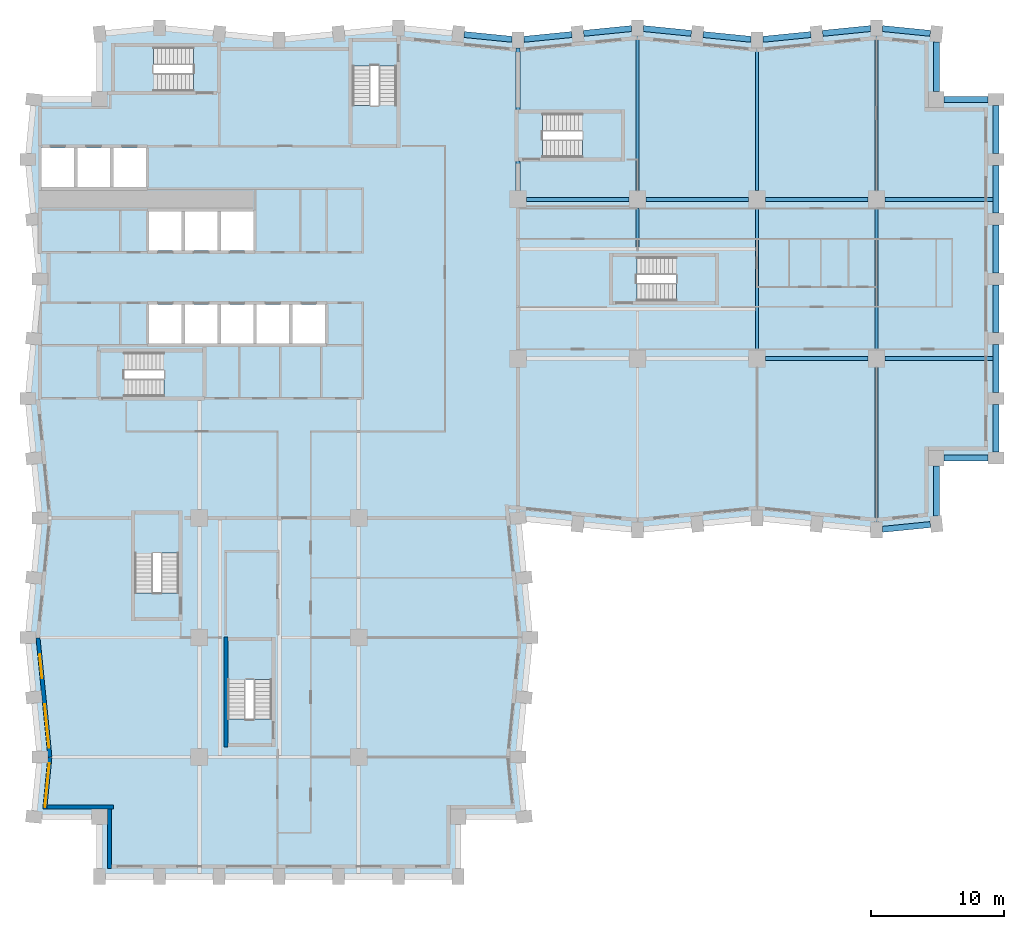
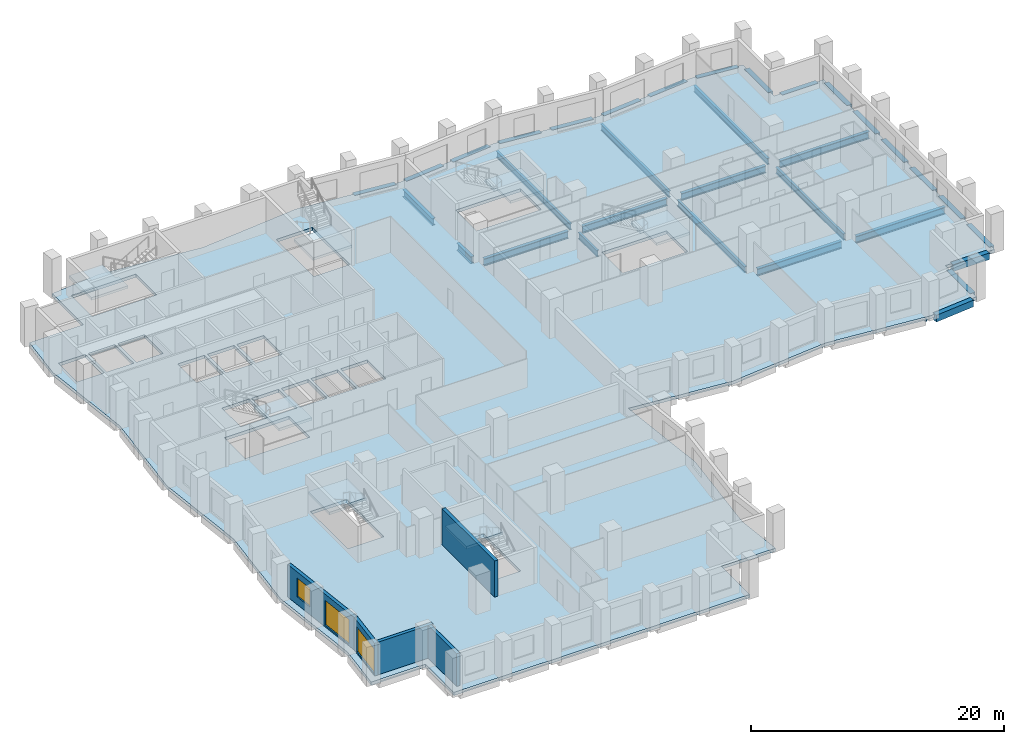
# One storey, part 2 of 11: 34 beams, 8 slabs, 5 walls, 3 windows, 3 openings, 7 elements without a shape of their own.
"""IFC4 building model written with IfcOpenShell, lengths in metres."""

from ifc_helpers import new_model, si_unit, direction, frame, frame_2d, origin, origin_2d, place, context, subcontext, project, spatial, polyline, rectangle, i_section, outline, extrude, material, layer, layer_set, material_profile, profile_set, type_object, element, fill, aggregate, save


model = new_model("IFC4")

# Units and contexts
model_context = context("Model", 3, precision=1e-05, world=origin(), true_north=direction((0.0, 1.0)))
body_context = subcontext(model_context, "Body", "Model", "MODEL_VIEW")
ifc_project = project(units=[si_unit("LENGTHUNIT", "METRE"), si_unit("AREAUNIT", "SQUARE_METRE"), si_unit("VOLUMEUNIT", "CUBIC_METRE"), si_unit("PLANEANGLEUNIT", "RADIAN"), si_unit("MASSUNIT", "GRAM", prefix="KILO")], contexts=[model_context])

# Site, building, storey
site_placement = place(None, origin())
site = spatial("IfcSite", under=ifc_project, at=site_placement, CompositionType="ELEMENT")
building_placement = place(site_placement, origin())
building = spatial("IfcBuilding", under=site, at=building_placement, Name="Brondeck Convention Tower", CompositionType="ELEMENT")
storey_placement = place(building_placement, frame((0.0, 0.0, 107.5)))
storey = spatial("IfcBuildingStorey", under=building, at=storey_placement, Name="L25", CompositionType="ELEMENT", Elevation=107.5)

# Beams
ifc_material_1 = material(Name="Steel S355", Category="steel")
ifc_material_profile_1 = material_profile(ifc_material_1, i_section(OverallWidth=0.219970703125, OverallDepth=0.60009765625, WebThickness=0.011962890625, FlangeThickness=0.01904296875, FilletRadius=0.02392578125, at=origin_2d()), Name="IPE 600")
ifc_profile_set_1 = profile_set([ifc_material_profile_1], Name="Steel S355")
beam_type_1 = type_object("IfcBeamType", Name="Floor beam IPE 600", PredefinedType="BEAM", material=ifc_profile_set_1)
beam_1_placement = place(storey_placement, frame((45.0, 51.64990234375, -0.60009765625), z_axis=(0.0, 1.0, 0.0), x_axis=(-1.0, 0.0, 0.0)))
element("IfcBeam", 1, at=beam_1_placement, inside=storey, type_object=beam_type_1, Name="STR-FB-L25-002", PredefinedType="BEAM", context=body_context, shape_type="SweptSolid", body=[
    extrude(i_section(OverallWidth=0.219970703125, OverallDepth=0.60009765625, WebThickness=0.011962890625, FlangeThickness=0.01904296875, FilletRadius=0.02392578125, at=origin_2d()), origin(), (0.0, 0.0, 1.0), 11.650146484375),
])
beam_2_placement = place(storey_placement, frame((54.0, 39.64990234375, -0.60009765625), z_axis=(0.0, 1.0, 0.0), x_axis=(-1.0, 0.0, 0.0)))
element("IfcBeam", 2, at=beam_2_placement, inside=storey, type_object=beam_type_1, Name="STR-FB-L25-004", PredefinedType="BEAM", context=body_context, shape_type="SweptSolid", body=[
    extrude(i_section(OverallWidth=0.219970703125, OverallDepth=0.60009765625, WebThickness=0.011962890625, FlangeThickness=0.01904296875, FilletRadius=0.02392578125, at=origin_2d()), origin(), (0.0, 0.0, 1.0), 10.7001953125),
])
beam_3_placement = place(storey_placement, frame((54.0, 51.64990234375, -0.60009765625), z_axis=(0.0, 1.0, 0.0), x_axis=(-1.0, 0.0, 0.0)))
element("IfcBeam", 3, at=beam_3_placement, inside=storey, type_object=beam_type_1, Name="STR-FB-L25-005", PredefinedType="BEAM", context=body_context, shape_type="SweptSolid", body=[
    extrude(i_section(OverallWidth=0.219970703125, OverallDepth=0.60009765625, WebThickness=0.011962890625, FlangeThickness=0.01904296875, FilletRadius=0.02392578125, at=origin_2d()), origin(), (0.0, 0.0, 1.0), 10.75),
])
beam_4_placement = place(storey_placement, frame((63.0, 26.699951171875, -0.60009765625), z_axis=(0.0, 1.0, 0.0), x_axis=(-1.0, 0.0, 0.0)))
element("IfcBeam", 4, at=beam_4_placement, inside=storey, type_object=beam_type_1, Name="STR-FB-L25-006", PredefinedType="BEAM", context=body_context, shape_type="SweptSolid", body=[
    extrude(i_section(OverallWidth=0.219970703125, OverallDepth=0.60009765625, WebThickness=0.011962890625, FlangeThickness=0.01904296875, FilletRadius=0.02392578125, at=origin_2d()), origin(), (0.0, 0.0, 1.0), 11.650146484375),
])
beam_5_placement = place(storey_placement, frame((63.0, 39.64990234375, -0.60009765625), z_axis=(0.0, 1.0, 0.0), x_axis=(-1.0, 0.0, 0.0)))
element("IfcBeam", 5, at=beam_5_placement, inside=storey, type_object=beam_type_1, Name="STR-FB-L25-007", PredefinedType="BEAM", context=body_context, shape_type="SweptSolid", body=[
    extrude(i_section(OverallWidth=0.219970703125, OverallDepth=0.60009765625, WebThickness=0.011962890625, FlangeThickness=0.01904296875, FilletRadius=0.02392578125, at=origin_2d()), origin(), (0.0, 0.0, 1.0), 10.7001953125),
])
beam_6_placement = place(storey_placement, frame((63.0, 51.64990234375, -0.60009765625), z_axis=(0.0, 1.0, 0.0), x_axis=(-1.0, 0.0, 0.0)))
element("IfcBeam", 6, at=beam_6_placement, inside=storey, type_object=beam_type_1, Name="STR-FB-L25-008", PredefinedType="BEAM", context=body_context, shape_type="SweptSolid", body=[
    extrude(i_section(OverallWidth=0.219970703125, OverallDepth=0.60009765625, WebThickness=0.011962890625, FlangeThickness=0.01904296875, FilletRadius=0.02392578125, at=origin_2d()), origin(), (0.0, 0.0, 1.0), 11.650146484375),
])
beam_7_placement = place(storey_placement, frame((45.0, 47.39990234375, -0.60009765625), z_axis=(0.0, 1.0, 0.0), x_axis=(-1.0, 0.0, 0.0)))
element("IfcBeam", 7, at=beam_7_placement, inside=storey, type_object=beam_type_1, Name="STR-FB-L25-015", PredefinedType="BEAM", context=body_context, shape_type="SweptSolid", body=[
    extrude(i_section(OverallWidth=0.219970703125, OverallDepth=0.60009765625, WebThickness=0.011962890625, FlangeThickness=0.01904296875, FilletRadius=0.02392578125, at=origin_2d()), origin(), (0.0, 0.0, 1.0), 2.9501953125),
])
ifc_material_profile_2 = material_profile(ifc_material_1, i_section(OverallWidth=0.300048828125, OverallDepth=0.699951171875, WebThickness=0.01708984375, FlangeThickness=0.031982421875, FilletRadius=0.027099609375, at=origin_2d()), Name="HEB 700")
ifc_profile_set_2 = profile_set([ifc_material_profile_2], Name="Steel S355")
beam_type_2 = type_object("IfcBeamType", Name="Girder HEB 700", PredefinedType="BEAM", material=ifc_profile_set_2)
beam_8_placement = place(storey_placement, frame((54.64990234375, 39.0, -0.64990234375), z_axis=(1.0, 0.0, 0.0), x_axis=(0.0, 1.0, 0.0)))
element("IfcBeam", 8, at=beam_8_placement, inside=storey, type_object=beam_type_2, Name="STR-GR-L25-003", PredefinedType="BEAM", context=body_context, shape_type="SweptSolid", body=[
    extrude(i_section(OverallWidth=0.300048828125, OverallDepth=0.699951171875, WebThickness=0.01708984375, FlangeThickness=0.031982421875, FilletRadius=0.027099609375, at=origin_2d()), origin(), (0.0, 0.0, 1.0), 7.7001953125),
])
beam_9_placement = place(storey_placement, frame((63.64990234375, 39.0, -0.64990234375), z_axis=(1.0, 0.0, 0.0), x_axis=(0.0, 1.0, 0.0)))
element("IfcBeam", 9, at=beam_9_placement, inside=storey, type_object=beam_type_2, Name="STR-GR-L25-004", PredefinedType="BEAM", context=body_context, shape_type="SweptSolid", body=[
    extrude(i_section(OverallWidth=0.300048828125, OverallDepth=0.699951171875, WebThickness=0.01708984375, FlangeThickness=0.031982421875, FilletRadius=0.027099609375, at=origin_2d()), origin(), (0.0, 0.0, 1.0), 8.125),
])
for number, where, z_axis, x_axis, name in (
    (10, (36.64990234375, 51.0, -0.64990234375), (1.0, 0.0, 0.0), (0.0, 1.0, 0.0), "STR-GR-L25-005"),
    (11, (45.64990234375, 51.0, -0.64990234375), (1.0, 0.0, 0.0), (0.0, 1.0, 0.0), "STR-GR-L25-006"),
    (12, (54.64990234375, 51.0, -0.64990234375), (1.0, 0.0, 0.0), (0.0, 1.0, 0.0), "STR-GR-L25-007"),
):
    element("IfcBeam", number, at=place(storey_placement, frame(where, z_axis=z_axis, x_axis=x_axis)), inside=storey, type_object=beam_type_2, Name=name, PredefinedType="BEAM", context=body_context, shape_type="SweptSolid", body=[
        extrude(i_section(OverallWidth=0.300048828125, OverallDepth=0.699951171875, WebThickness=0.01708984375, FlangeThickness=0.031982421875, FilletRadius=0.027099609375, at=origin_2d()), origin(), (0.0, 0.0, 1.0), 7.7001953125),
    ])
beam_10_placement = place(storey_placement, frame((63.64990234375, 51.0, -0.64990234375), z_axis=(1.0, 0.0, 0.0), x_axis=(0.0, 1.0, 0.0)))
element("IfcBeam", 13, at=beam_10_placement, inside=storey, type_object=beam_type_2, Name="STR-GR-L25-008", PredefinedType="BEAM", context=body_context, shape_type="SweptSolid", body=[
    extrude(i_section(OverallWidth=0.300048828125, OverallDepth=0.699951171875, WebThickness=0.01708984375, FlangeThickness=0.031982421875, FilletRadius=0.027099609375, at=origin_2d()), origin(), (0.0, 0.0, 1.0), 8.125),
])
beam_11_placement = place(storey_placement, frame((36.0, 51.64990234375, -0.64990234375), z_axis=(0.0, 1.0, 0.0), x_axis=(-1.0, 0.0, 0.0)))
element("IfcBeam", 14, at=beam_11_placement, inside=storey, type_object=beam_type_2, Name="STR-GR-L25-011", PredefinedType="BEAM", context=body_context, shape_type="SweptSolid", body=[
    extrude(i_section(OverallWidth=0.300048828125, OverallDepth=0.699951171875, WebThickness=0.01708984375, FlangeThickness=0.031982421875, FilletRadius=0.027099609375, at=origin_2d()), origin(), (0.0, 0.0, 1.0), 2.22998046875),
])
beam_12_placement = place(storey_placement, frame((36.0, 57.719970703125, -0.64990234375), z_axis=(0.0, 1.0, 0.0), x_axis=(-1.0, 0.0, 0.0)))
element("IfcBeam", 15, at=beam_12_placement, inside=storey, type_object=beam_type_2, Name="STR-GR-L25-012", PredefinedType="BEAM", context=body_context, shape_type="SweptSolid", body=[
    extrude(i_section(OverallWidth=0.300048828125, OverallDepth=0.699951171875, WebThickness=0.01708984375, FlangeThickness=0.031982421875, FilletRadius=0.027099609375, at=origin_2d()), origin(), (0.0, 0.0, 1.0), 4.679931640625),
])
ifc_material_2 = material(Name="Concrete C70/85", Category="concrete")
ifc_material_profile_3 = material_profile(ifc_material_2, rectangle(XDim=0.449951171875, YDim=0.64990234375, at=origin_2d()), Name="Precast spandrel 450x650 Concrete C70/85")
ifc_profile_set_3 = profile_set([ifc_material_profile_3], Name="Concrete C70/85")
beam_type_3 = type_object("IfcBeamType", Name="Precast spandrel 450x650 Concrete C70/85", PredefinedType="SPANDREL", material=ifc_profile_set_3)
beam_13_placement = place(storey_placement, frame((63.449951171875, 26.14501953125, -0.324951171875), z_axis=(0.995040528141, 0.099470334057, 0.0), x_axis=(-0.099470334057, 0.995040528141, 0.0)))
element("IfcBeam", 16, at=beam_13_placement, inside=storey, type_object=beam_type_3, Name="STR-SP-L25-020", PredefinedType="SPANDREL", context=body_context, shape_type="SweptSolid", body=[
    extrude(rectangle(XDim=0.449951171875, YDim=0.64990234375, at=origin_2d()), origin(), (0.0, 0.0, 1.0), 3.620361328125),
])
beam_14_placement = place(storey_placement, frame((67.5, 27.153076171875, -0.324951171875), z_axis=(0.0, 1.0, 0.0), x_axis=(-1.0, 0.0, 0.0)))
element("IfcBeam", 17, at=beam_14_placement, inside=storey, type_object=beam_type_3, Name="STR-SP-L25-021", PredefinedType="SPANDREL", context=body_context, shape_type="SweptSolid", body=[
    extrude(rectangle(XDim=0.449951171875, YDim=0.64990234375, at=origin_2d()), origin(), (0.0, 0.0, 1.0), 3.746826171875),
])
beam_15_placement = place(storey_placement, frame((68.10009765625, 31.5, -0.324951171875), z_axis=(1.0, 0.0, 0.0), x_axis=(0.0, 1.0, 0.0)))
element("IfcBeam", 18, at=beam_15_placement, inside=storey, type_object=beam_type_3, Name="STR-SP-L25-022", PredefinedType="SPANDREL", context=body_context, shape_type="SweptSolid", body=[
    extrude(rectangle(XDim=0.449951171875, YDim=0.64990234375, at=origin_2d()), origin(), (0.0, 0.0, 1.0), 3.2998046875),
])
for number, where, z_axis, x_axis, name in (
    (19, (72.0, 31.949951171875, -0.324951171875), (0.0, 1.0, 0.0), (-1.0, 0.0, 0.0), "STR-SP-L25-023"),
    (20, (72.0, 36.449951171875, -0.324951171875), (0.0, 1.0, 0.0), (-1.0, 0.0, 0.0), "STR-SP-L25-024"),
    (21, (72.0, 40.949951171875, -0.324951171875), (0.0, 1.0, 0.0), (-1.0, 0.0, 0.0), "STR-SP-L25-025"),
    (22, (72.0, 45.449951171875, -0.324951171875), (0.0, 1.0, 0.0), (-1.0, 0.0, 0.0), "STR-SP-L25-026"),
    (23, (72.0, 49.949951171875, -0.324951171875), (0.0, 1.0, 0.0), (-1.0, 0.0, 0.0), "STR-SP-L25-027"),
    (24, (72.0, 54.449951171875, -0.324951171875), (0.0, 1.0, 0.0), (-1.0, 0.0, 0.0), "STR-SP-L25-028"),
):
    element("IfcBeam", number, at=place(storey_placement, frame(where, z_axis=z_axis, x_axis=x_axis)), inside=storey, type_object=beam_type_3, Name=name, PredefinedType="SPANDREL", context=body_context, shape_type="SweptSolid", body=[
        extrude(rectangle(XDim=0.449951171875, YDim=0.64990234375, at=origin_2d()), origin(), (0.0, 0.0, 1.0), 3.60009765625),
    ])
beam_16_placement = place(storey_placement, frame((71.39990234375, 58.5, -0.324951171875), z_axis=(-1.0, 0.0, 0.0), x_axis=(0.0, -1.0, 0.0)))
element("IfcBeam", 25, at=beam_16_placement, inside=storey, type_object=beam_type_3, Name="STR-SP-L25-029", PredefinedType="SPANDREL", context=body_context, shape_type="SweptSolid", body=[
    extrude(rectangle(XDim=0.449951171875, YDim=0.64990234375, at=origin_2d()), origin(), (0.0, 0.0, 1.0), 3.2998046875),
])
beam_17_placement = place(storey_placement, frame((67.5, 59.10009765625, -0.324951171875), z_axis=(0.0, 1.0, 0.0), x_axis=(-1.0, 0.0, 0.0)))
element("IfcBeam", 26, at=beam_17_placement, inside=storey, type_object=beam_type_3, Name="STR-SP-L25-030", PredefinedType="SPANDREL", context=body_context, shape_type="SweptSolid", body=[
    extrude(rectangle(XDim=0.449951171875, YDim=0.64990234375, at=origin_2d()), origin(), (0.0, 0.0, 1.0), 3.746826171875),
])
for number, where, z_axis, x_axis, name in (
    (27, (67.05224609375, 63.494873046875, -0.324951171875), (-0.995040528141, 0.099470334057, 0.0), (-0.099470334057, -0.995040528141, 0.0), "STR-SP-L25-031"),
    (28, (62.550048828125, 63.85498046875, -0.324951171875), (-0.995040528141, -0.099470334057, 0.0), (0.099470334057, -0.995040528141, 0.0), "STR-SP-L25-032"),
    (29, (58.05224609375, 63.4052734375, -0.324951171875), (-0.995033851182, -0.099537103649, 0.0), (0.099537103649, -0.995033851182, 0.0), "STR-SP-L25-033"),
    (30, (53.550048828125, 63.044921875, -0.324951171875), (-0.995033851182, 0.099537103649, 0.0), (-0.099537103649, -0.995033851182, 0.0), "STR-SP-L25-034"),
    (31, (49.05224609375, 63.494873046875, -0.324951171875), (-0.995040528141, 0.099470334057, 0.0), (-0.099470334057, -0.995040528141, 0.0), "STR-SP-L25-035"),
    (32, (44.550048828125, 63.85498046875, -0.324951171875), (-0.995040528141, -0.099470334057, 0.0), (0.099470334057, -0.995040528141, 0.0), "STR-SP-L25-036"),
    (33, (40.05224609375, 63.4052734375, -0.324951171875), (-0.995033851182, -0.099537103649, 0.0), (0.099537103649, -0.995033851182, 0.0), "STR-SP-L25-037"),
    (34, (35.550048828125, 63.044921875, -0.324951171875), (-0.995033851182, 0.099537103649, 0.0), (-0.099537103649, -0.995033851182, 0.0), "STR-SP-L25-038"),
):
    element("IfcBeam", number, at=place(storey_placement, frame(where, z_axis=z_axis, x_axis=x_axis)), inside=storey, type_object=beam_type_3, Name=name, PredefinedType="SPANDREL", context=body_context, shape_type="SweptSolid", body=[
        extrude(rectangle(XDim=0.449951171875, YDim=0.64990234375, at=origin_2d()), origin(), (0.0, 0.0, 1.0), 3.620361328125),
    ])

# Slab
ifc_material_3 = material(Name="Concrete C35/45", Category="concrete")
ifc_layer_1 = layer(ifc_material_3, 0.300048828125)
ifc_layer_set_1 = layer_set([ifc_layer_1], Name="Composite floor slab 300")
slab_type_1 = type_object("IfcSlabType", Name="Composite floor slab 300", PredefinedType="FLOOR", material=ifc_layer_set_1)
slab_1_placement = place(storey_placement, frame((0.0, 0.0, -0.300048828125)))
element("IfcSlab", 35, at=slab_1_placement, inside=storey, type_object=slab_type_1, Name="STR-SL-L25", PredefinedType="FLOOR", context=body_context, shape_type="SweptSolid", body=[
    extrude(outline(polyline([(4.5, 4.5), (-0.449951171875, 4.5), (0.0, 9.0), (-0.89990234375, 18.0), (0.0, 27.0), (-0.89990234375, 36.0), (0.0, 45.0), (-0.89990234375, 54.0), (-0.449951171875, 58.5), (4.5, 58.5), (4.5, 63.449951171875), (9.0, 63.89990234375), (18.0, 63.0), (27.0, 63.89990234375), (36.0, 63.0), (45.0, 63.89990234375), (54.0, 63.0), (63.0, 63.89990234375), (67.5, 63.449951171875), (67.5, 58.5), (72.0, 58.5), (72.0, 31.5), (67.5, 31.5), (67.5, 26.550048828125), (63.0, 26.10009765625), (54.0, 27.0), (45.0, 26.10009765625), (36.0, 27.0), (36.89990234375, 18.0), (36.0, 9.0), (36.449951171875, 4.5), (31.5, 4.5), (31.5, 0.0), (4.5, 0.0), (4.5, 4.5)]), holes=[polyline([(10.447998046875, 27.248046875), (7.152099609375, 27.248046875), (7.152099609375, 21.35205078125), (10.447998046875, 21.35205078125), (10.447998046875, 27.248046875)]), polyline([(12.248046875, 36.152099609375), (12.248046875, 39.447998046875), (6.35205078125, 39.447998046875), (6.35205078125, 36.152099609375), (12.248046875, 36.152099609375)]), polyline([(10.675048828125, 40.125), (10.675048828125, 43.074951171875), (8.22509765625, 43.074951171875), (8.22509765625, 40.125), (10.675048828125, 40.125)]), polyline([(10.675048828125, 47.125), (10.675048828125, 50.074951171875), (8.22509765625, 50.074951171875), (8.22509765625, 47.125), (10.675048828125, 47.125)]), polyline([(13.375, 47.125), (13.375, 50.074951171875), (10.925048828125, 50.074951171875), (10.925048828125, 47.125), (13.375, 47.125)]), polyline([(2.574951171875, 51.925048828125), (2.574951171875, 54.875), (0.125, 54.875), (0.125, 51.925048828125), (2.574951171875, 51.925048828125)]), polyline([(5.27490234375, 51.925048828125), (5.27490234375, 54.875), (2.824951171875, 54.875), (2.824951171875, 51.925048828125), (5.27490234375, 51.925048828125)]), polyline([(5.52490234375, 51.925048828125), (7.97509765625, 51.925048828125), (7.97509765625, 54.875), (5.52490234375, 54.875), (5.52490234375, 51.925048828125)]), polyline([(11.548095703125, 62.447998046875), (5.652099609375, 62.447998046875), (5.652099609375, 59.152099609375), (11.548095703125, 59.152099609375), (11.548095703125, 62.447998046875)]), polyline([(17.447998046875, 17.748046875), (14.152099609375, 17.748046875), (14.152099609375, 11.85205078125), (17.447998046875, 11.85205078125), (17.447998046875, 17.748046875)]), polyline([(13.375, 40.125), (13.375, 43.074951171875), (10.925048828125, 43.074951171875), (10.925048828125, 40.125), (13.375, 40.125)]), polyline([(16.074951171875, 40.125), (16.074951171875, 43.074951171875), (13.625, 43.074951171875), (13.625, 40.125), (16.074951171875, 40.125)]), polyline([(18.77490234375, 40.125), (18.77490234375, 43.074951171875), (16.324951171875, 43.074951171875), (16.324951171875, 40.125), (18.77490234375, 40.125)]), polyline([(21.47509765625, 40.125), (21.47509765625, 43.074951171875), (19.02490234375, 43.074951171875), (19.02490234375, 40.125), (21.47509765625, 40.125)]), polyline([(50.847900390625, 43.35205078125), (50.847900390625, 46.64794921875), (44.951904296875, 46.64794921875), (44.951904296875, 43.35205078125), (50.847900390625, 43.35205078125)]), polyline([(16.074951171875, 47.125), (16.074951171875, 50.074951171875), (13.625, 50.074951171875), (13.625, 47.125), (16.074951171875, 47.125)]), polyline([(37.85205078125, 54.152099609375), (43.748046875, 54.152099609375), (43.748046875, 57.447998046875), (37.85205078125, 57.447998046875), (37.85205078125, 54.152099609375)]), polyline([(23.552001953125, 61.048095703125), (23.552001953125, 55.152099609375), (26.847900390625, 55.152099609375), (26.847900390625, 61.048095703125), (23.552001953125, 61.048095703125)])]), origin(), (0.0, 0.0, 1.0), 0.300048828125),
])

# Stair, slab
ifc_material_4 = material(Name="Precast concrete C50/60", Category="concrete")
stair_type = type_object("IfcStairType", Name="Core stair 22 risers 172.73 mm riser 300 mm going 1350 wide", PredefinedType="HALF_TURN_STAIR", material=ifc_material_4)
stair_1_placement = place(storey_placement, origin())
stair_1 = element("IfcStair", 36, at=stair_1_placement, inside=storey, type_object=stair_type, Name="ST-1 L25 stair", PredefinedType="HALF_TURN_STAIR")
ifc_layer_2 = layer(ifc_material_4, 0.25)
ifc_layer_set_2 = layer_set([ifc_layer_2], Name="Core stair landing 250 Precast concrete C50/60")
slab_type_2 = type_object("IfcSlabType", Name="Core stair landing 250 Precast concrete C50/60", PredefinedType="LANDING", material=ifc_layer_set_2)
slab_2_placement = place(storey_placement, frame((0.0, 0.0, 1.64990234375)))
slab_2 = element("IfcSlab", 37, at=slab_2_placement, type_object=slab_type_2, Name="ST-1 landing 1", PredefinedType="LANDING", context=body_context, shape_type="SweptSolid", body=[
    extrude(outline(polyline([(9.347900390625, 37.5), (9.35009765625, 37.5), (9.35009765625, 38.10009765625), (9.050048828125, 38.10009765625), (9.050048828125, 39.570068359375), (12.3701171875, 39.570068359375), (12.3701171875, 36.030029296875), (9.347900390625, 36.030029296875), (9.347900390625, 37.5)])), origin(), (0.0, 0.0, 1.0), 0.25),
])
aggregate(stair_1, [slab_2])

stair_2_placement = place(storey_placement, origin())
stair_2 = element("IfcStair", 38, at=stair_2_placement, inside=storey, type_object=stair_type, Name="ST-2 L25 stair", PredefinedType="HALF_TURN_STAIR")
slab_3_placement = place(storey_placement, frame((0.0, 0.0, 1.64990234375)))
slab_3 = element("IfcSlab", 39, at=slab_3_placement, type_object=slab_type_2, Name="ST-2 landing 1", PredefinedType="LANDING", context=body_context, shape_type="SweptSolid", body=[
    extrude(outline(polyline([(23.429931640625, 58.052001953125), (24.89990234375, 58.052001953125), (24.89990234375, 58.050048828125), (25.5, 58.050048828125), (25.5, 58.35009765625), (26.969970703125, 58.35009765625), (26.969970703125, 55.030029296875), (23.429931640625, 55.030029296875), (23.429931640625, 58.052001953125)])), origin(), (0.0, 0.0, 1.0), 0.25),
])
aggregate(stair_2, [slab_3])

stair_3_placement = place(storey_placement, origin())
stair_3 = element("IfcStair", 40, at=stair_3_placement, inside=storey, type_object=stair_type, Name="ST-3 L25 stair", PredefinedType="HALF_TURN_STAIR")
slab_4_placement = place(storey_placement, frame((0.0, 0.0, 1.64990234375)))
slab_4 = element("IfcSlab", 41, at=slab_4_placement, type_object=slab_type_2, Name="ST-3 landing 1", PredefinedType="LANDING", context=body_context, shape_type="SweptSolid", body=[
    extrude(outline(polyline([(8.85009765625, 60.5), (8.85009765625, 59.030029296875), (5.530029296875, 59.030029296875), (5.530029296875, 62.570068359375), (8.552001953125, 62.570068359375), (8.552001953125, 61.10009765625), (8.550048828125, 61.10009765625), (8.550048828125, 60.5), (8.85009765625, 60.5)])), origin(), (0.0, 0.0, 1.0), 0.25),
])
aggregate(stair_3, [slab_4])

stair_4_placement = place(storey_placement, origin())
stair_4 = element("IfcStair", 42, at=stair_4_placement, inside=storey, type_object=stair_type, Name="ST-AE L25 stair", PredefinedType="HALF_TURN_STAIR")
slab_5_placement = place(storey_placement, frame((0.0, 0.0, 1.64990234375)))
slab_5 = element("IfcSlab", 43, at=slab_5_placement, type_object=slab_type_2, Name="ST-AE landing 1", PredefinedType="LANDING", context=body_context, shape_type="SweptSolid", body=[
    extrude(outline(polyline([(40.847900390625, 55.5), (40.85009765625, 55.5), (40.85009765625, 56.10009765625), (40.550048828125, 56.10009765625), (40.550048828125, 57.570068359375), (43.8701171875, 57.570068359375), (43.8701171875, 54.030029296875), (40.847900390625, 54.030029296875), (40.847900390625, 55.5)])), origin(), (0.0, 0.0, 1.0), 0.25),
])
aggregate(stair_4, [slab_5])

stair_5_placement = place(storey_placement, origin())
stair_5 = element("IfcStair", 44, at=stair_5_placement, inside=storey, type_object=stair_type, Name="ST-BE L25 stair", PredefinedType="HALF_TURN_STAIR")
slab_6_placement = place(storey_placement, frame((0.0, 0.0, 1.64990234375)))
slab_6 = element("IfcSlab", 45, at=slab_6_placement, type_object=slab_type_2, Name="ST-BE landing 1", PredefinedType="LANDING", context=body_context, shape_type="SweptSolid", body=[
    extrude(outline(polyline([(7.030029296875, 24.050048828125), (7.030029296875, 27.3701171875), (10.570068359375, 27.3701171875), (10.570068359375, 24.347900390625), (9.10009765625, 24.347900390625), (9.10009765625, 24.35009765625), (8.5, 24.35009765625), (8.5, 24.050048828125), (7.030029296875, 24.050048828125)])), origin(), (0.0, 0.0, 1.0), 0.25),
])
aggregate(stair_5, [slab_6])

stair_6_placement = place(storey_placement, origin())
stair_6 = element("IfcStair", 46, at=stair_6_placement, inside=storey, type_object=stair_type, Name="ST-AF L25 stair", PredefinedType="HALF_TURN_STAIR")
slab_7_placement = place(storey_placement, frame((0.0, 0.0, 1.64990234375)))
slab_7 = element("IfcSlab", 47, at=slab_7_placement, type_object=slab_type_2, Name="ST-AF landing 1", PredefinedType="LANDING", context=body_context, shape_type="SweptSolid", body=[
    extrude(outline(polyline([(47.947998046875, 44.699951171875), (47.949951171875, 44.699951171875), (47.949951171875, 45.300048828125), (47.64990234375, 45.300048828125), (47.64990234375, 46.77001953125), (50.969970703125, 46.77001953125), (50.969970703125, 43.22998046875), (47.947998046875, 43.22998046875), (47.947998046875, 44.699951171875)])), origin(), (0.0, 0.0, 1.0), 0.25),
])
aggregate(stair_6, [slab_7])

stair_7_placement = place(storey_placement, origin())
stair_7 = element("IfcStair", 48, at=stair_7_placement, inside=storey, type_object=stair_type, Name="ST-BF L25 stair", PredefinedType="HALF_TURN_STAIR")
slab_8_placement = place(storey_placement, frame((0.0, 0.0, 1.64990234375)))
slab_8 = element("IfcSlab", 49, at=slab_8_placement, type_object=slab_type_2, Name="ST-BF landing 1", PredefinedType="LANDING", context=body_context, shape_type="SweptSolid", body=[
    extrude(outline(polyline([(14.030029296875, 14.550048828125), (14.030029296875, 17.8701171875), (17.570068359375, 17.8701171875), (17.570068359375, 14.847900390625), (16.10009765625, 14.847900390625), (16.10009765625, 14.85009765625), (15.5, 14.85009765625), (15.5, 14.550048828125), (14.030029296875, 14.550048828125)])), origin(), (0.0, 0.0, 1.0), 0.25),
])
aggregate(stair_7, [slab_8])

# Wall, openings, windows
ifc_material_5 = material(Name="Precast concrete C50/60 bronze finish", Category="concrete")
ifc_layer_3 = layer(ifc_material_5, 0.070068359375, Name="Bronze precast facing")
ifc_material_6 = material(Name="Mineral wool")
ifc_layer_4 = layer(ifc_material_6, 0.159912109375, Name="Insulation")
ifc_layer_5 = layer(ifc_material_3, 0.070068359375, Name="Backing")
ifc_layer_set_3 = layer_set([ifc_layer_3, ifc_layer_4, ifc_layer_5], Name="External infill wall, precast concrete C50/60 bronze facing")
wall_type_1 = type_object("IfcWallType", Name="External infill wall, precast concrete C50/60 bronze facing", PredefinedType="SOLIDWALL", material=ifc_layer_set_3)
wall_1_placement = place(storey_placement, frame((0.755126953125, 8.985107421875, 0.0), z_axis=(0.0, 0.0, 1.0), x_axis=(-0.099495688264, 0.995037993253, 0.0)))
wall_1 = element("IfcWall", 50, at=wall_1_placement, inside=storey, type_object=wall_type_1, Name="ENV-EW-L25-P0-B-W-10", PredefinedType="SOLIDWALL", context=body_context, shape_type="SweptSolid", body=[
    extrude(rectangle(XDim=9.030029296875, YDim=0.300048828125, at=frame_2d((4.51513671875, 0.0))), origin(), (0.0, 0.0, 1.0), 3.14990234375),
])
opening_1_placement = place(wall_1_placement, frame((0.701171875, 0.0, 0.14990234375)))
opening_1 = element("IfcOpeningElement", 51, at=opening_1_placement, cuts=wall_1, Name="Opening W9", PredefinedType="OPENING", context=body_context, shape_type="SweptSolid", body=[
    extrude(rectangle(XDim=3.300048828125, YDim=2.39990234375, at=frame_2d((1.64990234375, 1.199951171875))), frame((0.0, 0.159912109375, 0.0), z_axis=(0.0, -1.0, 0.0), x_axis=(1.0, 0.0, 0.0)), (0.0, 0.0, 1.0), 0.320068359375),
])
opening_2_placement = place(wall_1_placement, frame((5.9736328125, 0.0, 0.75)))
opening_2 = element("IfcOpeningElement", 52, at=opening_2_placement, cuts=wall_1, Name="Opening W10", PredefinedType="OPENING", context=body_context, shape_type="SweptSolid", body=[
    extrude(rectangle(XDim=1.800048828125, YDim=1.800048828125, at=frame_2d((0.89990234375, 0.89990234375))), frame((0.0, 0.159912109375, 0.0), z_axis=(0.0, -1.0, 0.0), x_axis=(1.0, 0.0, 0.0)), (0.0, 0.0, 1.0), 0.320068359375),
])
ifc_material_7 = material(Name="Bronze tinted double glazing", Category="glass")
window_type_1 = type_object("IfcWindowType", Name="Glazed flute window, bronze tinted", PartitioningType="SINGLE_PANEL", PredefinedType="WINDOW", material=ifc_material_7)
window_1_placement = place(opening_1_placement, origin())
window_1 = element("IfcWindow", 53, at=window_1_placement, inside=storey, type_object=window_type_1, Name="ENV-WN-L25-P0-B-W-11", OverallHeight=2.39990234375, OverallWidth=3.300048828125, PartitioningType="SINGLE_PANEL", PredefinedType="WINDOW", context=body_context, shape_type="SweptSolid", body=[
    extrude(rectangle(XDim=3.300048828125, YDim=2.39990234375, at=frame_2d((1.64990234375, 1.199951171875))), frame((0.0, 0.030029296875, 0.0), z_axis=(0.0, -1.0, 0.0), x_axis=(1.0, 0.0, 0.0)), (0.0, 0.0, 1.0), 0.06005859375),
])
fill(opening_1, window_1)
window_type_2 = type_object("IfcWindowType", Name="Punched window, bronze tinted", PartitioningType="SINGLE_PANEL", PredefinedType="WINDOW", material=ifc_material_7)
window_2_placement = place(opening_2_placement, origin())
window_2 = element("IfcWindow", 54, at=window_2_placement, inside=storey, type_object=window_type_2, Name="ENV-WN-L25-P0-B-W-10", OverallHeight=1.800048828125, OverallWidth=1.800048828125, PartitioningType="SINGLE_PANEL", PredefinedType="WINDOW", context=body_context, shape_type="SweptSolid", body=[
    extrude(rectangle(XDim=1.800048828125, YDim=1.800048828125, at=frame_2d((0.89990234375, 0.89990234375))), frame((0.0, 0.030029296875, 0.0), z_axis=(0.0, -1.0, 0.0), x_axis=(1.0, 0.0, 0.0)), (0.0, 0.0, 1.0), 0.06005859375),
])
fill(opening_2, window_2)

# Wall, opening, window
wall_2_placement = place(storey_placement, frame((0.3623046875, 5.085205078125, 0.0), z_axis=(0.0, 0.0, 1.0), x_axis=(0.099485145752, 0.995039047362, 0.0)))
wall_2 = element("IfcWall", 55, at=wall_2_placement, inside=storey, type_object=wall_type_1, Name="ENV-EW-L25-P0-B-W-12", PredefinedType="SOLIDWALL", context=body_context, shape_type="SweptSolid", body=[
    extrude(rectangle(XDim=3.904296875, YDim=0.300048828125, at=frame_2d((1.9521484375, 0.0))), origin(), (0.0, 0.0, 1.0), 3.14990234375),
])
opening_3_placement = place(wall_2_placement, frame((0.14990234375, 0.0, 0.14990234375)))
opening_3 = element("IfcOpeningElement", 56, at=opening_3_placement, cuts=wall_2, Name="Opening W9", PredefinedType="OPENING", context=body_context, shape_type="SweptSolid", body=[
    extrude(rectangle(XDim=3.300048828125, YDim=2.39990234375, at=frame_2d((1.64990234375, 1.199951171875))), frame((0.0, 0.159912109375, 0.0), z_axis=(0.0, -1.0, 0.0), x_axis=(1.0, 0.0, 0.0)), (0.0, 0.0, 1.0), 0.320068359375),
])
window_3_placement = place(opening_3_placement, origin())
window_3 = element("IfcWindow", 57, at=window_3_placement, inside=storey, type_object=window_type_1, Name="ENV-WN-L25-P0-B-W-12", OverallHeight=2.39990234375, OverallWidth=3.300048828125, PartitioningType="SINGLE_PANEL", PredefinedType="WINDOW", context=body_context, shape_type="SweptSolid", body=[
    extrude(rectangle(XDim=3.300048828125, YDim=2.39990234375, at=frame_2d((1.64990234375, 1.199951171875))), frame((0.0, 0.030029296875, 0.0), z_axis=(0.0, -1.0, 0.0), x_axis=(1.0, 0.0, 0.0)), (0.0, 0.0, 1.0), 0.06005859375),
])
fill(opening_3, window_3)

# Walls
wall_3_placement = place(storey_placement, frame((5.550048828125, 5.25, 0.0), z_axis=(0.0, 0.0, 1.0), x_axis=(-1.0, 0.0, 0.0)))
element("IfcWall", 58, at=wall_3_placement, inside=storey, type_object=wall_type_1, Name="ENV-EW-L25-P0-NC-SWB0-01", PredefinedType="SOLIDWALL", context=body_context, shape_type="SweptSolid", body=[
    extrude(rectangle(XDim=5.015380859375, YDim=0.300048828125, at=frame_2d((2.5078125, 0.0))), origin(), (0.0, 0.0, 1.0), 3.14990234375),
])
wall_4_placement = place(storey_placement, frame((5.25, 0.60009765625, 0.0), z_axis=(0.0, 0.0, 1.0), x_axis=(0.0, 1.0, 0.0)))
element("IfcWall", 59, at=wall_4_placement, inside=storey, type_object=wall_type_1, Name="ENV-EW-L25-P0-NC-SWB0-02", PredefinedType="SOLIDWALL", context=body_context, shape_type="SweptSolid", body=[
    extrude(rectangle(XDim=4.5, YDim=0.300048828125, at=frame_2d((2.25, 0.0))), origin(), (0.0, 0.0, 1.0), 3.14990234375),
])
ifc_layer_6 = layer(ifc_material_2, 0.300048828125)
ifc_layer_set_4 = layer_set([ifc_layer_6], Name="Stair enclosure wall 300 Concrete C70/85")
wall_type_2 = type_object("IfcWallType", Name="Stair enclosure wall 300 Concrete C70/85", PredefinedType="SHEAR", material=ifc_layer_set_4)
wall_5_placement = place(storey_placement, frame((14.0, 9.75, 0.0), z_axis=(0.0, 0.0, 1.0), x_axis=(0.0, 1.0, 0.0)))
element("IfcWall", 60, at=wall_5_placement, inside=storey, type_object=wall_type_2, Name="L25 core wall", PredefinedType="SHEAR", context=body_context, shape_type="SweptSolid", body=[
    extrude(rectangle(XDim=8.300048828125, YDim=0.300048828125, at=frame_2d((4.14990234375, 0.0))), origin(), (0.0, 0.0, 1.0), 3.5),
])

save(model, "model.ifc")
